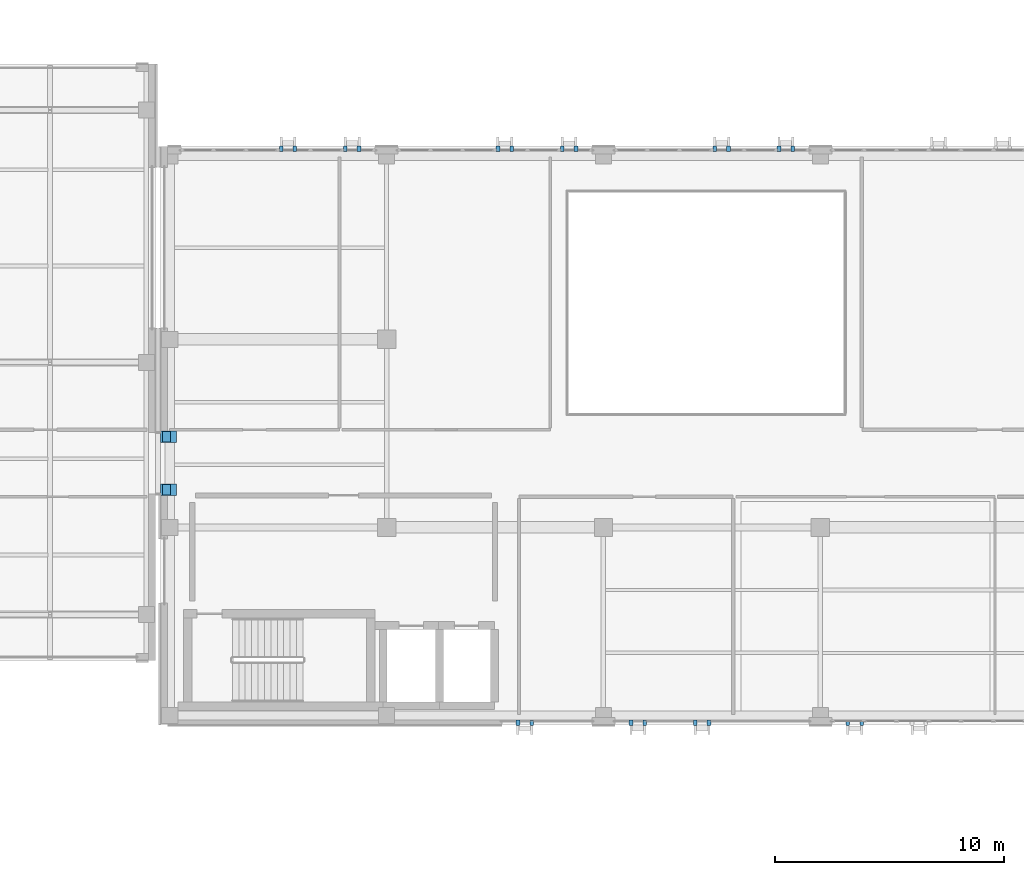
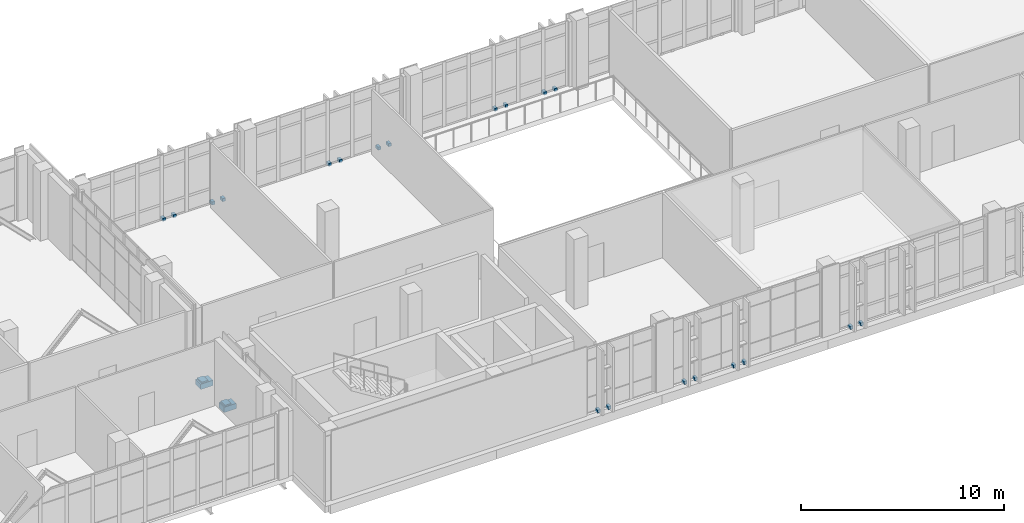
# One storey, part 164 of 193: 24 discrete accessories.
"""IFC4 building model written with IfcOpenShell, lengths in metres."""

from ifc_helpers import new_model, si_unit, direction, frame, origin, origin_2d, place, context, subcontext, project, spatial, rectangle, extrude, material, type_object, element, save


model = new_model("IFC4")

# Units and contexts
model_context = context("Model", 3, precision=1e-05, world=origin(), true_north=direction((0.0, 1.0)))
body_context = subcontext(model_context, "Body", "Model", "MODEL_VIEW")
ifc_project = project(units=[si_unit("LENGTHUNIT", "METRE"), si_unit("AREAUNIT", "SQUARE_METRE"), si_unit("VOLUMEUNIT", "CUBIC_METRE"), si_unit("PLANEANGLEUNIT", "RADIAN"), si_unit("MASSUNIT", "GRAM", prefix="KILO")], contexts=[model_context])

# Site, building, storey
site_placement = place(None, origin())
site = spatial("IfcSite", under=ifc_project, at=site_placement, CompositionType="ELEMENT")
building_placement = place(site_placement, origin())
building = spatial("IfcBuilding", under=site, at=building_placement, Name="Qalavern Law Courts", CompositionType="ELEMENT")
storey_placement = place(building_placement, frame((0.0, 0.0, 10.199951171875)))
storey = spatial("IfcBuildingStorey", under=building, at=storey_placement, Name="L02", CompositionType="ELEMENT", Elevation=10.199951171875)

# Discrete accessories
ifc_material_1 = material(Name="Steel S355", Category="steel")
discrete_accessory_type_1 = type_object("IfcDiscreteAccessoryType", Name="ENV-BRK-FIN", PredefinedType="BRACKET", material=ifc_material_1)
for number, where, z_axis, x_axis, name in (
    (1, (49.800048828125, 5.294921875, -0.06982421875), (0.0, 0.0, 1.0), (0.0, -1.0, 0.0), "Stone blade anchor bracket 0049"),
    (2, (50.39990234375, 5.294921875, -0.06982421875), (0.0, 0.0, 1.0), (0.0, -1.0, 0.0), "Stone blade anchor bracket 0050"),
    (3, (54.728515625, 5.294921875, -0.06982421875), (0.0, 0.0, 1.0), (0.0, -1.0, 0.0), "Stone blade anchor bracket 0051"),
    (4, (55.32861328125, 5.294921875, -0.06982421875), (0.0, 0.0, 1.0), (0.0, -1.0, 0.0), "Stone blade anchor bracket 0052"),
    (5, (57.528564453125, 5.294921875, -0.06982421875), (0.0, 0.0, 1.0), (0.0, -1.0, 0.0), "Stone blade anchor bracket 0053"),
    (6, (58.128662109375, 5.294921875, -0.06982421875), (0.0, 0.0, 1.0), (0.0, -1.0, 0.0), "Stone blade anchor bracket 0054"),
    (7, (64.182861328125, 5.294921875, -0.06982421875), (0.0, 0.0, 1.0), (0.0, -1.0, 0.0), "Stone blade anchor bracket 0055"),
    (8, (64.782958984375, 5.294921875, -0.06982421875), (0.0, 0.0, 1.0), (0.0, -1.0, 0.0), "Stone blade anchor bracket 0056"),
    (9, (61.782958984375, 30.304931640625, -0.06982421875), (0.0, 0.0, 1.0), (0.0, 1.0, 0.0), "Stone blade anchor bracket 0085"),
    (10, (61.182861328125, 30.304931640625, -0.06982421875), (0.0, 0.0, 1.0), (0.0, 1.0, 0.0), "Stone blade anchor bracket 0086"),
    (11, (58.98291015625, 30.304931640625, -0.06982421875), (0.0, 0.0, 1.0), (0.0, 1.0, 0.0), "Stone blade anchor bracket 0087"),
    (12, (58.3828125, 30.304931640625, -0.06982421875), (0.0, 0.0, 1.0), (0.0, 1.0, 0.0), "Stone blade anchor bracket 0088"),
    (13, (52.32861328125, 30.304931640625, -0.06982421875), (0.0, 0.0, 1.0), (0.0, 1.0, 0.0), "Stone blade anchor bracket 0089"),
    (14, (51.728515625, 30.304931640625, -0.06982421875), (0.0, 0.0, 1.0), (0.0, 1.0, 0.0), "Stone blade anchor bracket 0090"),
    (15, (49.528564453125, 30.304931640625, -0.06982421875), (0.0, 0.0, 1.0), (0.0, 1.0, 0.0), "Stone blade anchor bracket 0091"),
    (16, (48.9287109375, 30.304931640625, -0.06982421875), (0.0, 0.0, 1.0), (0.0, 1.0, 0.0), "Stone blade anchor bracket 0092"),
    (17, (42.874267578125, 30.304931640625, -0.06982421875), (0.0, 0.0, 1.0), (0.0, 1.0, 0.0), "Stone blade anchor bracket 0093"),
    (18, (42.2744140625, 30.304931640625, -0.06982421875), (0.0, 0.0, 1.0), (0.0, 1.0, 0.0), "Stone blade anchor bracket 0094"),
    (19, (40.07421875, 30.304931640625, -0.06982421875), (0.0, 0.0, 1.0), (0.0, 1.0, 0.0), "Stone blade anchor bracket 0095"),
    (20, (39.474365234375, 30.304931640625, -0.06982421875), (0.0, 0.0, 1.0), (0.0, 1.0, 0.0), "Stone blade anchor bracket 0096"),
):
    element("IfcDiscreteAccessory", number, at=place(storey_placement, frame(where, z_axis=z_axis, x_axis=x_axis)), inside=storey, type_object=discrete_accessory_type_1, Name=name, PredefinedType="BRACKET", context=body_context, shape_type="SweptSolid", body=[
        extrude(rectangle(XDim=0.239990234375, YDim=0.159912109375, at=origin_2d()), origin(), (0.0, 0.0, 1.0), 0.179931640625),
    ])
ifc_material_2 = material(Name="Concrete C45/55", Category="concrete")
discrete_accessory_type_2 = type_object("IfcDiscreteAccessoryType", Name="STR-CORBEL-700", PredefinedType="BRACKET", material=ifc_material_2)
for number, where, z_axis, x_axis, name in (
    (21, (34.570068359375, 15.449951171875, -0.68994140625), (0.0, 0.0, 1.0), (1.0, 0.0, 0.0), "Bridge BR-V1-V2 700 mm corbel seat 1 L02"),
    (22, (34.570068359375, 17.75, -0.68994140625), (0.0, 0.0, 1.0), (1.0, 0.0, 0.0), "Bridge BR-V1-V2 700 mm corbel seat 2 L02"),
):
    element("IfcDiscreteAccessory", number, at=place(storey_placement, frame(where, z_axis=z_axis, x_axis=x_axis)), inside=storey, type_object=discrete_accessory_type_2, Name=name, PredefinedType="BRACKET", context=body_context, shape_type="SweptSolid", body=[
        extrude(rectangle(XDim=0.699951171875, YDim=0.5, at=origin_2d()), origin(), (0.0, 0.0, 1.0), 0.320068359375),
    ])
discrete_accessory_type_3 = type_object("IfcDiscreteAccessoryType", Name="STR-SHOE-PTFE350", PredefinedType="SHOE", material=ifc_material_1)
for number, where, z_axis, x_axis, name in (
    (23, (34.469970703125, 15.449951171875, -0.369873046875), (0.0, 0.0, 1.0), (1.0, 0.0, 0.0), "Seismic bridge PTFE sliding bearing 07"),
    (24, (34.469970703125, 17.75, -0.369873046875), (0.0, 0.0, 1.0), (1.0, 0.0, 0.0), "Seismic bridge PTFE sliding bearing 08"),
):
    element("IfcDiscreteAccessory", number, at=place(storey_placement, frame(where, z_axis=z_axis, x_axis=x_axis)), inside=storey, type_object=discrete_accessory_type_3, Name=name, PredefinedType="SHOE", context=body_context, shape_type="SweptSolid", body=[
        extrude(rectangle(XDim=0.35009765625, YDim=0.449951171875, at=origin_2d()), origin(), (0.0, 0.0, 1.0), 0.080078125),
    ])

save(model, "model.ifc")
